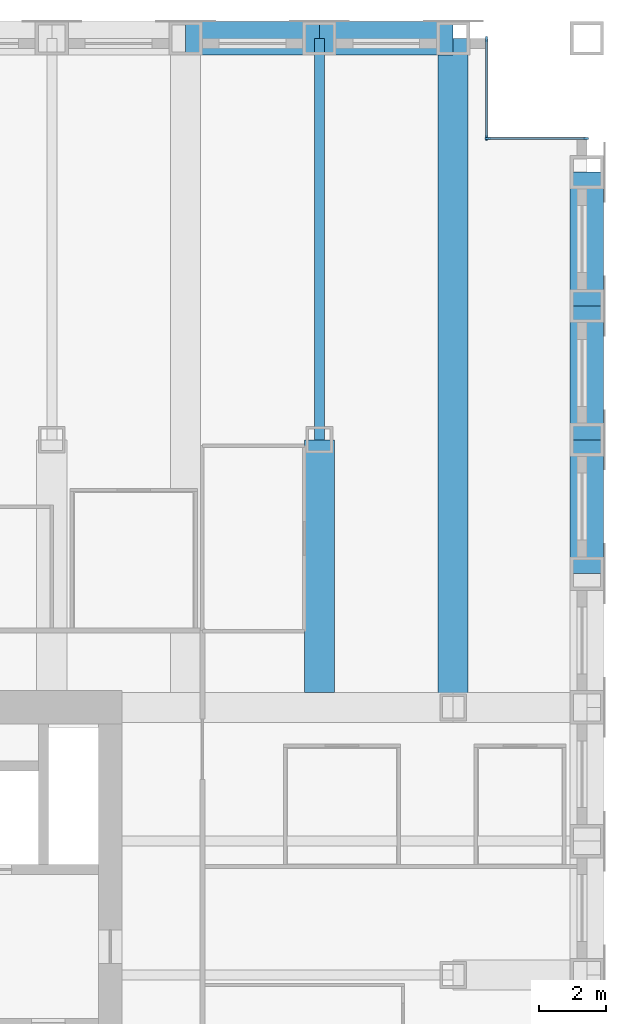
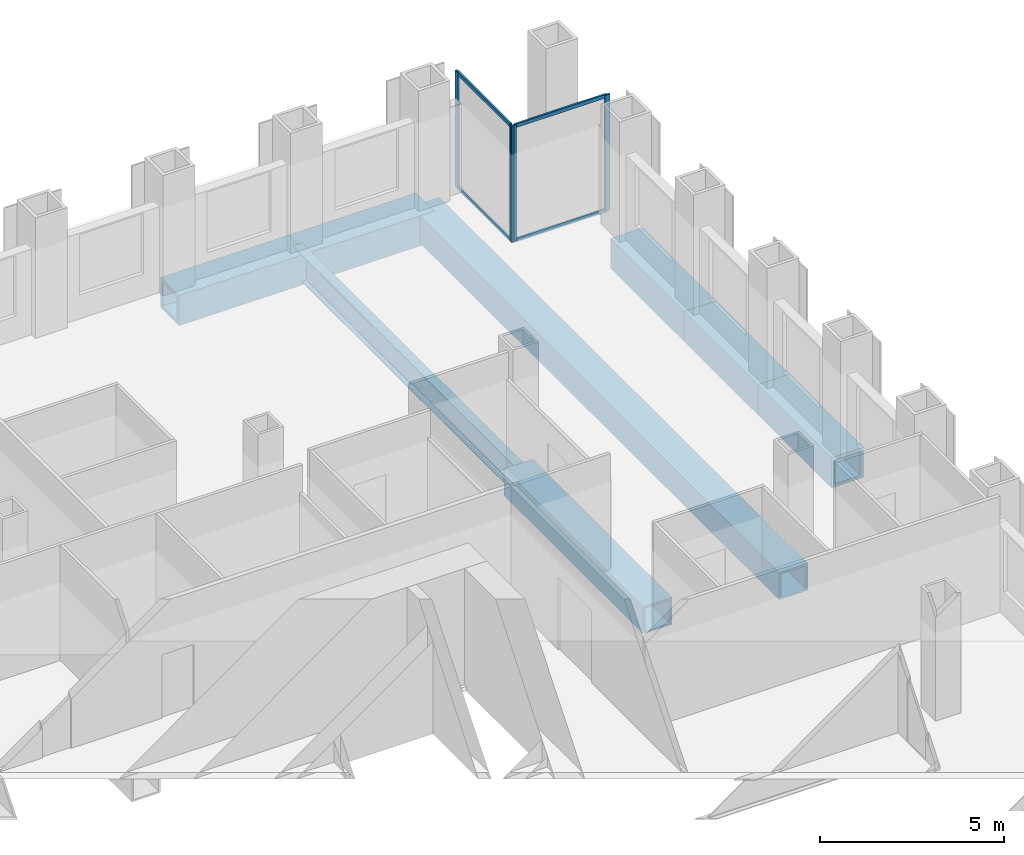
# One storey, part 7 of 14: 8 beams, 8 members, 2 elements without a shape of their own.
"""IFC4 building model written with IfcOpenShell, lengths in metres."""

import ifcopenshell
import ifcopenshell.guid

model = None  # the IFC model being written
_history = None  # IfcOwnerHistory: only IFC2X3 demands one
_inside = {}  # id of a spatial element -> (the spatial element, [elements in it])
_under = {}  # id of a project, library or spatial element -> (it, [spatial elements below it])
_declared = {}  # id of a project -> (the project, [libraries it declares])
_typed = {}  # id of a type object -> (the type object, [elements of that type])
_made_of = {}  # id of a material, layer set ... -> (it, [elements and type objects made of it])


def new_model(schema):
    """Start an empty IFC model of exactly this schema.

    Asked for "IFC4X3", IfcOpenShell would pick the latest addendum, in which some entities
    have other attributes; the version numbers below select the first issue.
    IFC2X3 requires an IfcOwnerHistory on every rooted entity: one is made here for all.
    """
    global model, _history
    if schema == "IFC4X3":
        model = ifcopenshell.file(schema_version=(4, 3, 0, 0))
    else:
        model = ifcopenshell.file(schema=schema)
    _inside.clear()
    _under.clear()
    _declared.clear()
    _typed.clear()
    _made_of.clear()
    _history = None
    if model.schema == "IFC2X3":
        org = make("IfcOrganization", Name="unknown")
        user = make(
            "IfcPersonAndOrganization",
            ThePerson=make("IfcPerson", FamilyName="unknown"),
            TheOrganization=org,
        )
        app = make(
            "IfcApplication",
            ApplicationDeveloper=org,
            Version="unknown",
            ApplicationFullName="unknown",
            ApplicationIdentifier="unknown",
        )
        _history = make(
            "IfcOwnerHistory",
            OwningUser=user,
            OwningApplication=app,
            ChangeAction="ADDED",
            CreationDate=0,
        )
    return model


def make(cls, **values):
    """One entity of the class cls with the attributes given. An attribute that is None is left unset."""
    return model.create_entity(
        cls, **{name: value for name, value in values.items() if value is not None}
    )


def rooted(cls, **values):
    """An entity with a GlobalId (a new one), such as an element, a storey or a relation."""
    return make(cls, GlobalId=ifcopenshell.guid.new(), OwnerHistory=_history, **values)


def si_unit(unit_type, name, prefix=None):
    """IfcSIUnit, for example si_unit("LENGTHUNIT", "METRE", prefix="MILLI")."""
    return make("IfcSIUnit", UnitType=unit_type, Prefix=prefix, Name=name)


def assignment(units):
    """IfcUnitAssignment: the units of a project."""
    return None if units is None else make("IfcUnitAssignment", Units=units)


def point(xyz):
    """IfcCartesianPoint."""
    return None if xyz is None else make("IfcCartesianPoint", Coordinates=xyz)


def direction(xyz):
    """IfcDirection."""
    return None if xyz is None else make("IfcDirection", DirectionRatios=xyz)


def frame(location, z_axis=None, x_axis=None):
    """IfcAxis2Placement3D, a coordinate frame: its origin and axes. An axis left out is left unset."""
    return make(
        "IfcAxis2Placement3D",
        Location=point(location),
        Axis=direction(z_axis),
        RefDirection=direction(x_axis),
    )


def frame_2d(location, x_axis=None):
    """IfcAxis2Placement2D, a coordinate frame in the plane: its origin and x axis."""
    return make(
        "IfcAxis2Placement2D", Location=point(location), RefDirection=direction(x_axis)
    )


def origin():
    """The frame at (0, 0, 0) with its axes left unset."""
    return frame((0.0, 0.0, 0.0))


def origin_2d():
    """The frame at (0, 0) in the plane with its x axis left unset."""
    return frame_2d((0.0, 0.0))


def place(relative_to, where):
    """IfcLocalPlacement: puts the frame where relative to a parent placement (None: the world)."""
    return make(
        "IfcLocalPlacement", PlacementRelTo=relative_to, RelativePlacement=where
    )


def context(
    kind, dimensions, precision=None, world=None, true_north=None, identifier=None
):
    """IfcGeometricRepresentationContext, for example the 3D "Model" context."""
    return make(
        "IfcGeometricRepresentationContext",
        ContextIdentifier=identifier,
        ContextType=kind,
        CoordinateSpaceDimension=dimensions,
        Precision=precision,
        WorldCoordinateSystem=world,
        TrueNorth=true_north,
    )


def subcontext(parent, identifier, kind, view, scale=None):
    """IfcGeometricRepresentationSubContext, for example "Body" below "Model"."""
    return make(
        "IfcGeometricRepresentationSubContext",
        ContextIdentifier=identifier,
        ContextType=kind,
        ParentContext=parent,
        TargetScale=scale,
        TargetView=view,
    )


def project(units=None, contexts=None):
    """IfcProject with its units and contexts."""
    return rooted(
        "IfcProject",
        Name="project",
        RepresentationContexts=contexts,
        UnitsInContext=assignment(units),
    )


def spatial(cls, under=None, at=None, **own):
    """A site, building, storey or space (cls), placed at a placement, below another one or the project."""
    s = rooted(cls, ObjectPlacement=at, **own)
    if under is not None:
        _under.setdefault(under.id(), (under, []))[1].append(s)
    return s


def profile(cls, at=None, kind="AREA", **sizes):
    """A parametric profile (cls). Its sizes go by their IFC names, for example OverallWidth=200.0."""
    return make(cls, ProfileType=kind, Position=at, **sizes)


def rectangle(**sizes):
    """IfcRectangleProfileDef."""
    return profile("IfcRectangleProfileDef", **sizes)


def hollow_rectangle(**sizes):
    """IfcRectangleHollowProfileDef."""
    return profile("IfcRectangleHollowProfileDef", **sizes)


def i_section(**sizes):
    """IfcIShapeProfileDef."""
    return profile("IfcIShapeProfileDef", **sizes)


def extrude(swept, where, along, depth):
    """IfcExtrudedAreaSolid: the profile swept, set in the frame where, extruded along a direction by depth."""
    return make(
        "IfcExtrudedAreaSolid",
        SweptArea=swept,
        Position=where,
        ExtrudedDirection=direction(along),
        Depth=depth,
    )


def shape(context_of_items, identifier, shape_type, items):
    """IfcShapeRepresentation: the items that make up one representation, for example the "Body"."""
    return make(
        "IfcShapeRepresentation",
        ContextOfItems=context_of_items,
        RepresentationIdentifier=identifier,
        RepresentationType=shape_type,
        Items=items,
    )


def material(Name=None, Category=None):
    """IfcMaterial."""
    return make("IfcMaterial", Name=Name, Category=Category)


def material_profile(
    of_material, cross_section, Name=None, Category=None, Priority=None
):
    """IfcMaterialProfile: a cross section and its material."""
    return make(
        "IfcMaterialProfile",
        Name=Name,
        Material=of_material,
        Profile=cross_section,
        Priority=Priority,
        Category=Category,
    )


def profile_set(profiles, Name=None, composite=None):
    """IfcMaterialProfileSet."""
    return make(
        "IfcMaterialProfileSet",
        Name=Name,
        MaterialProfiles=profiles,
        CompositeProfile=composite,
    )


def made_of(thing, what):
    """Note that an element or type object is made of a material, layer set ...; save() writes the relation."""
    if what is not None:
        _made_of.setdefault(what.id(), (what, []))[1].append(thing)
    return thing


def type_object(cls, material=None, **own):
    """A type object (cls), such as IfcWallType, which elements share."""
    return made_of(rooted(cls, **own), material)


def element(
    cls,
    number,
    at=None,
    inside=None,
    cuts=None,
    type_object=None,
    material=None,
    context=None,
    identifier="Body",
    shape_type=None,
    held_by="IfcProductDefinitionShape",
    body=None,
    shapes=None,
    **own,
):
    """One element of the class cls, such as IfcWall. Its Tag is "e" and its number.

    at: its placement. inside: the storey or other place that contains it. cuts: it is an
    opening in that element (IfcRelVoidsElement). A single representation is given by context,
    identifier, shape_type and body (its items); several are given by shapes. held_by: the class
    of the entity that holds the representations. save() writes the other relations.
    """
    e = rooted(cls, Tag="e%d" % number, ObjectPlacement=at, **own)
    if body is not None:
        shapes = [shape(context, identifier, shape_type, body)]
    if shapes is not None:
        e.Representation = make(held_by, Representations=shapes)
    if inside is not None:
        _inside.setdefault(inside.id(), (inside, []))[1].append(e)
    if cuts is not None:
        rooted(
            "IfcRelVoidsElement", RelatingBuildingElement=cuts, RelatedOpeningElement=e
        )
    if type_object is not None:
        _typed.setdefault(type_object.id(), (type_object, []))[1].append(e)
    return made_of(e, material)


def aggregate(whole, parts):
    """IfcRelAggregates: a whole, such as a stair, and the parts it consists of."""
    return rooted("IfcRelAggregates", RelatingObject=whole, RelatedObjects=parts)


def save(model, path):
    """Write the relations noted so far, then the file.

    IfcRelAggregates (storeys below a building ...), IfcRelContainedInSpatialStructure (elements
    in a storey), IfcRelDefinesByType, IfcRelAssociatesMaterial and IfcRelDeclares: one each for
    every whole, place, type object, material and project.
    """
    for whole, parts in _under.values():
        aggregate(whole, parts)
    for where, things in _inside.values():
        rooted(
            "IfcRelContainedInSpatialStructure",
            RelatedElements=things,
            RelatingStructure=where,
        )
    for kind, things in _typed.values():
        rooted("IfcRelDefinesByType", RelatedObjects=things, RelatingType=kind)
    for what, things in _made_of.values():
        rooted("IfcRelAssociatesMaterial", RelatedObjects=things, RelatingMaterial=what)
    for by, libraries in _declared.values():
        rooted("IfcRelDeclares", RelatingContext=by, RelatedDefinitions=libraries)
    model.write(path)


model = new_model("IFC4")

# Units and contexts
model_context = context("Model", 3, precision=1e-05, world=origin(), true_north=direction((0.0, 1.0)))
body_context = subcontext(model_context, "Body", "Model", "MODEL_VIEW")
ifc_project = project(units=[si_unit("LENGTHUNIT", "METRE"), si_unit("AREAUNIT", "SQUARE_METRE"), si_unit("VOLUMEUNIT", "CUBIC_METRE"), si_unit("PLANEANGLEUNIT", "RADIAN"), si_unit("MASSUNIT", "GRAM", prefix="KILO")], contexts=[model_context])

# Site, building, storey
site_placement = place(None, origin())
site = spatial("IfcSite", under=ifc_project, at=site_placement, CompositionType="ELEMENT")
building_placement = place(site_placement, origin())
building = spatial("IfcBuilding", under=site, at=building_placement, Name="Rimbunsela Tower", CompositionType="ELEMENT")
storey_placement = place(building_placement, frame((0.0, 0.0, 230.199951171875)))
storey = spatial("IfcBuildingStorey", under=building, at=storey_placement, Name="L55", CompositionType="ELEMENT", Elevation=230.199951171875)

# Beams
ifc_material_1 = material(Name="Steel BJ 55 (fy 410 MPa)", Category="steel")
ifc_material_profile_1 = material_profile(ifc_material_1, hollow_rectangle(XDim=1.0, YDim=1.0, WallThickness=0.10009765625, at=origin_2d()), Name="BOX 1000x1000x100")
ifc_profile_set_1 = profile_set([ifc_material_profile_1], Name="Steel BJ 55 (fy 410 MPa)")
beam_type_1 = type_object("IfcBeamType", Name="Beam BOX 1000x1000x100", PredefinedType="BEAM", material=ifc_profile_set_1)
for number, where, z_axis, x_axis, name in (
    (1, (38.0, 56.0, -0.64990234375), (1.0, 0.0, 0.0), (0.0, 1.0, 0.0), "Beam B3 L55"),
    (2, (42.0, 56.0, -0.64990234375), (1.0, 0.0, 0.0), (0.0, 1.0, 0.0), "Beam B3 L55"),
    (3, (50.0, 40.0, -0.64990234375), (0.0, 1.0, 0.0), (-1.0, 0.0, 0.0), "Beam B3 L55"),
    (4, (50.0, 44.0, -0.64990234375), (0.0, 1.0, 0.0), (-1.0, 0.0, 0.0), "Beam B3 L55"),
    (5, (50.0, 48.0, -0.64990234375), (0.0, 1.0, 0.0), (-1.0, 0.0, 0.0), "Beam B3 L55"),
):
    element("IfcBeam", number, at=place(storey_placement, frame(where, z_axis=z_axis, x_axis=x_axis)), inside=storey, type_object=beam_type_1, Name=name, PredefinedType="BEAM", context=body_context, shape_type="SweptSolid", body=[
        extrude(hollow_rectangle(XDim=1.0, YDim=1.0, WallThickness=0.10009765625, at=origin_2d()), origin(), (0.0, 0.0, 1.0), 4.0),
    ])
ifc_material_2 = material(Name="Steel BJ 55 (fy 410 MPa)", Category="steel")
ifc_material_profile_2 = material_profile(ifc_material_2, hollow_rectangle(XDim=0.89990234375, YDim=0.89990234375, WallThickness=0.06005859375, at=origin_2d()), Name="BOX 900x900x60")
ifc_profile_set_2 = profile_set([ifc_material_profile_2], Name="Steel BJ 55 (fy 410 MPa)")
beam_type_2 = type_object("IfcBeamType", Name="Beam BOX 900x900x60", PredefinedType="BEAM", material=ifc_profile_set_2)
beam_1_placement = place(storey_placement, frame((42.0, 36.449951171875, -0.599853515625), z_axis=(0.0, 1.0, 0.0), x_axis=(-1.0, 0.0, 0.0)))
element("IfcBeam", 6, at=beam_1_placement, inside=storey, type_object=beam_type_2, Name="Beam B1 L55", PredefinedType="BEAM", context=body_context, shape_type="SweptSolid", body=[
    extrude(hollow_rectangle(XDim=0.89990234375, YDim=0.89990234375, WallThickness=0.06005859375, at=origin_2d()), origin(), (0.0, 0.0, 1.0), 7.550048828125),
])
beam_2_placement = place(storey_placement, frame((46.0, 36.0, -0.599853515625), z_axis=(0.0, 1.0, 0.0), x_axis=(-1.0, 0.0, 0.0)))
element("IfcBeam", 7, at=beam_2_placement, inside=storey, type_object=beam_type_2, Name="Beam B1 L55", PredefinedType="BEAM", context=body_context, shape_type="SweptSolid", body=[
    extrude(hollow_rectangle(XDim=0.89990234375, YDim=0.89990234375, WallThickness=0.06005859375, at=origin_2d()), origin(), (0.0, 0.0, 1.0), 20.0),
])
ifc_material_3 = material(Name="Steel BJ 55 (fy 410 MPa)", Category="steel")
ifc_material_profile_3 = material_profile(ifc_material_3, i_section(OverallWidth=0.300048828125, OverallDepth=0.89990234375, WebThickness=0.01611328125, FlangeThickness=0.028076171875, FilletRadius=0.028076171875, at=origin_2d()), Name="H 900x300x16x28")
ifc_profile_set_3 = profile_set([ifc_material_profile_3], Name="Steel BJ 55 (fy 410 MPa)")
beam_type_3 = type_object("IfcBeamType", Name="Beam H 900x300x16x28", PredefinedType="BEAM", material=ifc_profile_set_3)
beam_3_placement = place(storey_placement, frame((42.0, 44.0, -0.599853515625), z_axis=(0.0, 1.0, 0.0), x_axis=(-1.0, 0.0, 0.0)))
element("IfcBeam", 8, at=beam_3_placement, inside=storey, type_object=beam_type_3, Name="Beam B2 L55", PredefinedType="BEAM", context=body_context, shape_type="SweptSolid", body=[
    extrude(i_section(OverallWidth=0.300048828125, OverallDepth=0.89990234375, WebThickness=0.01611328125, FlangeThickness=0.028076171875, FilletRadius=0.028076171875, at=origin_2d()), origin(), (0.0, 0.0, 1.0), 12.0),
])

# Curtain wall, members
ifc_material_4 = material(Name="Aluminium curtain wall", Category="aluminium")
curtain_wall_type = type_object("IfcCurtainWallType", Name="Corner glazing", PredefinedType="USERDEFINED", material=ifc_material_4)
curtain_wall_1_placement = place(storey_placement, origin())
curtain_wall_1 = element("IfcCurtainWall", 9, at=curtain_wall_1_placement, inside=storey, type_object=curtain_wall_type, Name="Corner glazing L55", ObjectType="CORNER GLAZING", PredefinedType="USERDEFINED")
ifc_material_5 = material(Name="Aluminium mullion", Category="aluminium")
ifc_material_profile_4 = material_profile(ifc_material_5, rectangle(XDim=0.06005859375, YDim=0.159912109375, at=origin_2d()), Name="Mullion 60x160")
ifc_profile_set_4 = profile_set([ifc_material_profile_4], Name="Aluminium mullion")
member_type_1 = type_object("IfcMemberType", Name="Curtain wall mullion 60x160", PredefinedType="MULLION", material=ifc_profile_set_4)
member_1_placement = place(storey_placement, frame((49.969970703125, 53.0, 0.0), z_axis=(0.0, 0.0, 1.0), x_axis=(0.0, -1.0, 0.0)))
member_1 = element("IfcMember", 10, at=member_1_placement, type_object=member_type_1, Name="CW5 mullion 1", PredefinedType="MULLION", context=body_context, shape_type="SweptSolid", body=[
    extrude(rectangle(XDim=0.06005859375, YDim=0.159912109375, at=origin_2d()), origin(), (0.0, 0.0, 1.0), 3.85009765625),
])
member_2_placement = place(storey_placement, frame((47.030029296875, 53.0, 0.0), z_axis=(0.0, 0.0, 1.0), x_axis=(0.0, -1.0, 0.0)))
member_2 = element("IfcMember", 11, at=member_2_placement, type_object=member_type_1, Name="CW5 mullion 2", PredefinedType="MULLION", context=body_context, shape_type="SweptSolid", body=[
    extrude(rectangle(XDim=0.06005859375, YDim=0.159912109375, at=origin_2d()), origin(), (0.0, 0.0, 1.0), 3.85009765625),
])

curtain_wall_2_placement = place(storey_placement, origin())
curtain_wall_2 = element("IfcCurtainWall", 12, at=curtain_wall_2_placement, inside=storey, type_object=curtain_wall_type, Name="Corner glazing L55", ObjectType="CORNER GLAZING", PredefinedType="USERDEFINED")
member_3_placement = place(storey_placement, frame((47.0, 53.030029296875, 0.0), z_axis=(0.0, 0.0, 1.0), x_axis=(-1.0, 0.0, 0.0)))
member_3 = element("IfcMember", 13, at=member_3_placement, type_object=member_type_1, Name="CW5 mullion 1", PredefinedType="MULLION", context=body_context, shape_type="SweptSolid", body=[
    extrude(rectangle(XDim=0.06005859375, YDim=0.159912109375, at=origin_2d()), origin(), (0.0, 0.0, 1.0), 3.85009765625),
])
member_4_placement = place(storey_placement, frame((47.0, 55.969970703125, 0.0), z_axis=(0.0, 0.0, 1.0), x_axis=(-1.0, 0.0, 0.0)))
member_4 = element("IfcMember", 14, at=member_4_placement, type_object=member_type_1, Name="CW5 mullion 2", PredefinedType="MULLION", context=body_context, shape_type="SweptSolid", body=[
    extrude(rectangle(XDim=0.06005859375, YDim=0.159912109375, at=origin_2d()), origin(), (0.0, 0.0, 1.0), 3.85009765625),
])

# Member
ifc_material_6 = material(Name="Aluminium transom", Category="aluminium")
ifc_material_profile_5 = material_profile(ifc_material_6, rectangle(XDim=0.06005859375, YDim=0.1201171875, at=origin_2d()), Name="Transom 60x120")
ifc_profile_set_5 = profile_set([ifc_material_profile_5], Name="Aluminium transom")
member_type_2 = type_object("IfcMemberType", Name="Curtain wall transom 60x120", PredefinedType="USERDEFINED", material=ifc_profile_set_5)
member_5_placement = place(storey_placement, frame((49.93994140625, 53.0, 0.030029296875), z_axis=(-1.0, 0.0, 0.0), x_axis=(0.0, -1.0, 0.0)))
member_5 = element("IfcMember", 15, at=member_5_placement, type_object=member_type_2, Name="CW5 transom 1.1", ObjectType="TRANSOM", PredefinedType="USERDEFINED", context=body_context, shape_type="SweptSolid", body=[
    extrude(rectangle(XDim=0.06005859375, YDim=0.1201171875, at=origin_2d()), origin(), (0.0, 0.0, 1.0), 2.8798828125),
])

member_6_placement = place(storey_placement, frame((49.93994140625, 53.0, 3.820068359375), z_axis=(-1.0, 0.0, 0.0), x_axis=(0.0, -1.0, 0.0)))
member_6 = element("IfcMember", 16, at=member_6_placement, type_object=member_type_2, Name="CW5 transom 1.2", ObjectType="TRANSOM", PredefinedType="USERDEFINED", context=body_context, shape_type="SweptSolid", body=[
    extrude(rectangle(XDim=0.06005859375, YDim=0.1201171875, at=origin_2d()), origin(), (0.0, 0.0, 1.0), 2.8798828125),
])

aggregate(curtain_wall_1, [member_1, member_2, member_5, member_6])

member_7_placement = place(storey_placement, frame((47.0, 53.06005859375, 0.030029296875), z_axis=(0.0, 1.0, 0.0), x_axis=(-1.0, 0.0, 0.0)))
member_7 = element("IfcMember", 17, at=member_7_placement, type_object=member_type_2, Name="CW5 transom 1.1", ObjectType="TRANSOM", PredefinedType="USERDEFINED", context=body_context, shape_type="SweptSolid", body=[
    extrude(rectangle(XDim=0.06005859375, YDim=0.1201171875, at=origin_2d()), origin(), (0.0, 0.0, 1.0), 2.8798828125),
])

member_8_placement = place(storey_placement, frame((47.0, 53.06005859375, 3.820068359375), z_axis=(0.0, 1.0, 0.0), x_axis=(-1.0, 0.0, 0.0)))
member_8 = element("IfcMember", 18, at=member_8_placement, type_object=member_type_2, Name="CW5 transom 1.2", ObjectType="TRANSOM", PredefinedType="USERDEFINED", context=body_context, shape_type="SweptSolid", body=[
    extrude(rectangle(XDim=0.06005859375, YDim=0.1201171875, at=origin_2d()), origin(), (0.0, 0.0, 1.0), 2.8798828125),
])

aggregate(curtain_wall_2, [member_3, member_4, member_7, member_8])

save(model, "model.ifc")
